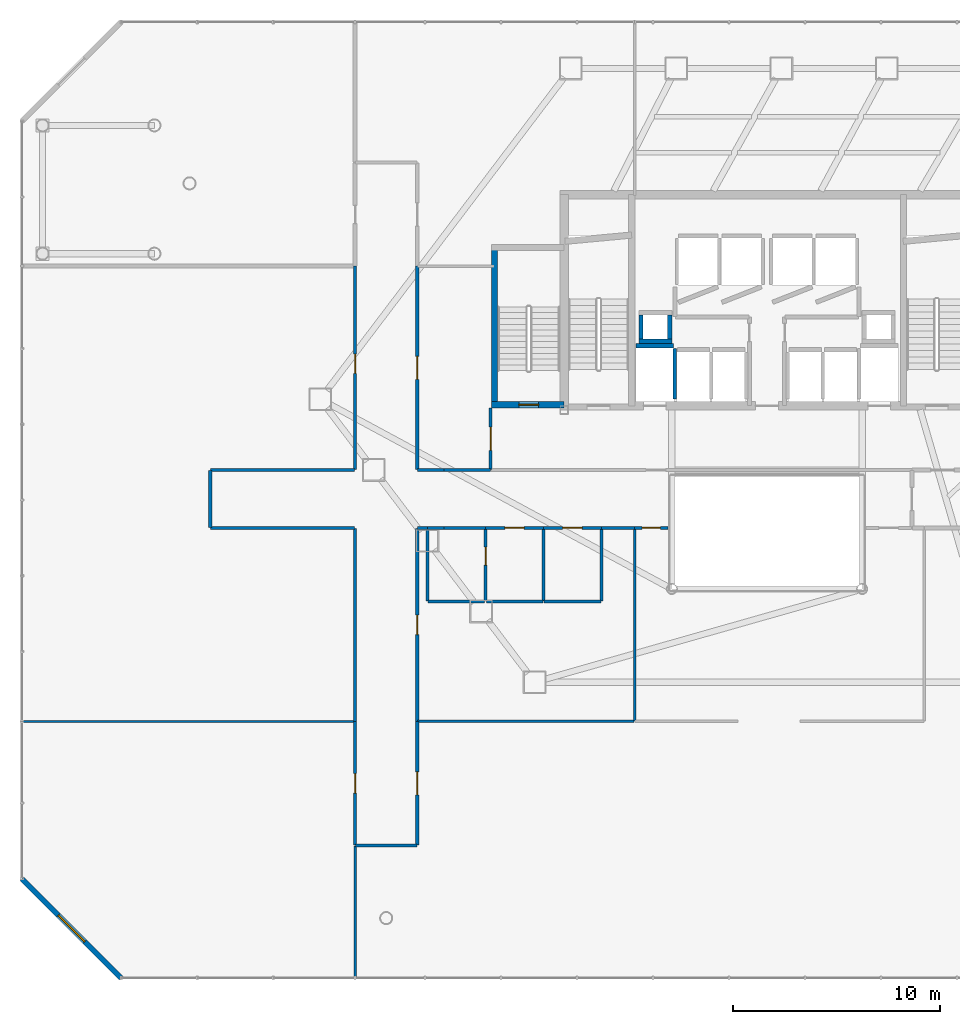
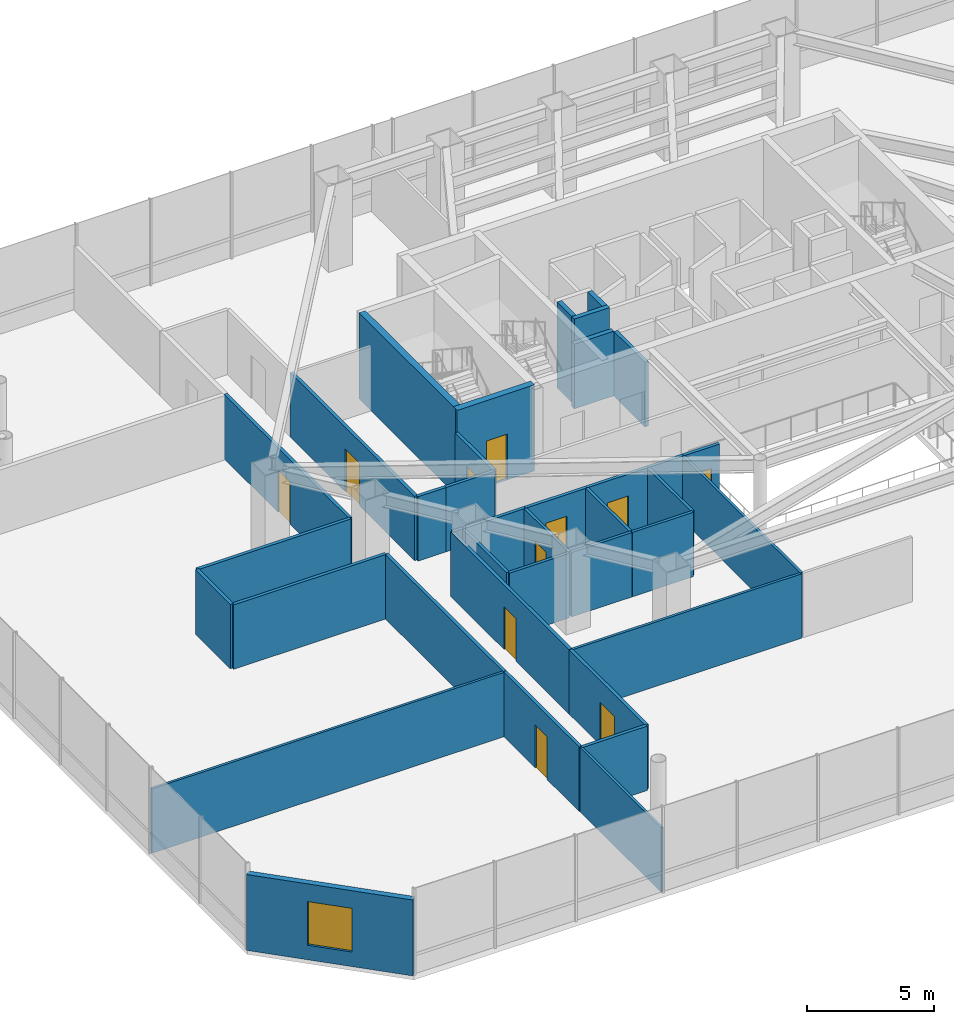
# One storey, part 34 of 37: 39 walls, 11 doors, 1 window, 12 openings.
"""IFC4 building model written with IfcOpenShell, lengths in metres."""

from ifc_helpers import new_model, si_unit, direction, frame, frame_2d, origin, place, context, subcontext, project, spatial, rectangle, extrude, material, layer, layer_set, type_object, element, fill, save


model = new_model("IFC4")

# Units and contexts
model_context = context("Model", 3, precision=1e-05, world=origin(), true_north=direction((0.0, 1.0)))
body_context = subcontext(model_context, "Body", "Model", "MODEL_VIEW")
ifc_project = project(units=[si_unit("LENGTHUNIT", "METRE"), si_unit("AREAUNIT", "SQUARE_METRE"), si_unit("VOLUMEUNIT", "CUBIC_METRE"), si_unit("PLANEANGLEUNIT", "RADIAN"), si_unit("MASSUNIT", "GRAM", prefix="KILO")], contexts=[model_context])

# Site, building, storey
site_placement = place(None, origin())
site = spatial("IfcSite", under=ifc_project, at=site_placement, CompositionType="ELEMENT")
building_placement = place(site_placement, origin())
building = spatial("IfcBuilding", under=site, at=building_placement, Name="Zarrinselat Tower", CompositionType="ELEMENT")
storey_placement = place(building_placement, frame((0.0, 0.0, 13.93994140625)))
storey = spatial("IfcBuildingStorey", under=building, at=storey_placement, Name="L03", CompositionType="ELEMENT", Elevation=13.93994140625)

# Wall, opening, window
ifc_material_1 = material(Name="Honed Cream Travertine Stone", Category="masonry")
ifc_layer_1 = layer(ifc_material_1, 0.260009765625)
ifc_layer_set_1 = layer_set([ifc_layer_1], Name="Honed Cream Travertine Stone")
wall_type_1 = type_object("IfcWallType", Name="WAL-EXT-STONE-260", PredefinedType="STANDARD", material=ifc_layer_set_1)
wall_1_placement = place(storey_placement, frame((2.39990234375, 10.39990234375, 0.0), z_axis=(0.0, 0.0, 1.0), x_axis=(0.707124763888, -0.707088798028, 0.0)))
wall_1 = element("IfcWall", 1, at=wall_1_placement, inside=storey, type_object=wall_type_1, Name="L03 Chamfered Stone Corner Wall 7", PredefinedType="STANDARD", context=body_context, shape_type="SweptSolid", body=[
    extrude(rectangle(XDim=6.7880859375, YDim=0.260009765625, at=frame_2d((3.39404296875, 0.0))), origin(), (0.0, 0.0, 1.0), 3.650146484375),
])
opening_1_placement = place(wall_1_placement, frame((2.494140625, 0.0, 0.699951171875)))
opening_1 = element("IfcOpeningElement", 2, at=opening_1_placement, cuts=wall_1, Name="Opening WN-2", PredefinedType="OPENING", context=body_context, shape_type="SweptSolid", body=[
    extrude(rectangle(XDim=1.800048828125, YDim=2.10009765625, at=frame_2d((0.89990234375, 1.050048828125))), frame((0.0, 0.139892578125, 0.0), z_axis=(0.0, -1.0, 0.0), x_axis=(1.0, 0.0, 0.0)), (0.0, 0.0, 1.0), 0.280029296875),
])
ifc_material_2 = material(Name="Double Low-E Laminated Solar Glass", Category="glass")
window_type = type_object("IfcWindowType", Name="WIN-GALLERY-1800", PartitioningType="SINGLE_PANEL", PredefinedType="WINDOW", material=ifc_material_2)
window_placement = place(opening_1_placement, origin())
window = element("IfcWindow", 3, at=window_placement, inside=storey, type_object=window_type, Name="L03 Corner Gallery Window 7", OverallHeight=2.10009765625, OverallWidth=1.800048828125, PartitioningType="SINGLE_PANEL", PredefinedType="WINDOW", context=body_context, shape_type="SweptSolid", body=[
    extrude(rectangle(XDim=1.800048828125, YDim=2.10009765625, at=frame_2d((0.89990234375, 1.050048828125))), frame((0.0, 0.030029296875, 0.0), z_axis=(0.0, -1.0, 0.0), x_axis=(1.0, 0.0, 0.0)), (0.0, 0.0, 1.0), 0.06005859375),
])
fill(opening_1, window)

# Wall, opening, door
ifc_material_3 = material(Name="Fire-Rated Gypsum Board Partition", Category="gypsum")
ifc_layer_2 = layer(ifc_material_3, 0.14990234375)
ifc_layer_set_2 = layer_set([ifc_layer_2], Name="Fire-Rated Gypsum Board Partition")
wall_type_2 = type_object("IfcWallType", Name="WAL-PART-EI60", PredefinedType="PARTITIONING", material=ifc_layer_set_2)
wall_2_placement = place(storey_placement, frame((25.050048828125, 30.169921875, 0.0), z_axis=(0.0, 0.0, 1.0), x_axis=(0.0, 1.0, 0.0)))
wall_2 = element("IfcWall", 4, at=wall_2_placement, inside=storey, type_object=wall_type_2, Name="L03 Partition Wall 9", PredefinedType="PARTITIONING", context=body_context, shape_type="SweptSolid", body=[
    extrude(rectangle(XDim=2.97998046875, YDim=0.14990234375, at=frame_2d((1.489990234375, 0.0))), origin(), (0.0, 0.0, 1.0), 3.09716796875),
])
opening_2_placement = place(wall_2_placement, frame((0.929931640625, 0.0, 0.0)))
opening_2 = element("IfcOpeningElement", 5, at=opening_2_placement, cuts=wall_2, Name="Opening ID-02", PredefinedType="OPENING", context=body_context, shape_type="SweptSolid", body=[
    extrude(rectangle(XDim=1.1201171875, YDim=2.050048828125, at=frame_2d((0.56005859375, 1.02490234375))), frame((0.0, 0.0849609375, 0.0), z_axis=(0.0, -1.0, 0.0), x_axis=(1.0, 0.0, 0.0)), (0.0, 0.0, 1.0), 0.169921875),
])
ifc_material_4 = material(Name="Steel S355J2", Category="steel")
door_type_1 = type_object("IfcDoorType", Name="DR-INT-FD60-W", OperationType="NOTDEFINED", PredefinedType="DOOR", material=ifc_material_4)
door_1_placement = place(opening_2_placement, origin())
door_1 = element("IfcDoor", 6, at=door_1_placement, inside=storey, type_object=door_type_1, Name="L03 Interior Door P9", OperationType="SINGLE_SWING_RIGHT", OverallHeight=2.050048828125, OverallWidth=1.1201171875, PredefinedType="DOOR", context=body_context, shape_type="SweptSolid", body=[
    extrude(rectangle(XDim=1.1201171875, YDim=2.050048828125, at=frame_2d((0.56005859375, 1.02490234375))), frame((0.0, 0.02490234375, 0.0), z_axis=(0.0, -1.0, 0.0), x_axis=(1.0, 0.0, 0.0)), (0.0, 0.0, 1.0), 0.050048828125),
])
fill(opening_2, door_1)

# Walls
wall_3_placement = place(storey_placement, frame((22.800048828125, 27.35009765625, 0.0), z_axis=(0.0, 0.0, 1.0), x_axis=(1.0, 0.0, 0.0)))
element("IfcWall", 7, at=wall_3_placement, inside=storey, type_object=wall_type_2, Name="L03 Partition Wall 13", PredefinedType="PARTITIONING", context=body_context, shape_type="SweptSolid", body=[
    extrude(rectangle(XDim=1.994873046875, YDim=0.14990234375, at=frame_2d((0.99755859375, 0.0))), origin(), (0.0, 0.0, 1.0), 3.09716796875),
])
wall_4_placement = place(storey_placement, frame((22.0048828125, 27.35009765625, 0.0), z_axis=(0.0, 0.0, 1.0), x_axis=(1.0, 0.0, 0.0)))
element("IfcWall", 8, at=wall_4_placement, inside=storey, type_object=wall_type_2, Name="L03 Partition Wall 14", PredefinedType="PARTITIONING", context=body_context, shape_type="SweptSolid", body=[
    extrude(rectangle(XDim=0.795166015625, YDim=0.14990234375, at=frame_2d((0.3974609375, 0.0))), origin(), (0.0, 0.0, 1.0), 3.09716796875),
])

# Wall, opening, door
wall_5_placement = place(storey_placement, frame((24.804931640625, 27.35009765625, 0.0), z_axis=(0.0, 0.0, 1.0), x_axis=(1.0, 0.0, 0.0)))
wall_5 = element("IfcWall", 9, at=wall_5_placement, inside=storey, type_object=wall_type_2, Name="L03 Partition Wall 15", PredefinedType="PARTITIONING", context=body_context, shape_type="SweptSolid", body=[
    extrude(rectangle(XDim=2.7900390625, YDim=0.14990234375, at=frame_2d((1.39501953125, 0.0))), origin(), (0.0, 0.0, 1.0), 3.09716796875),
])
opening_3_placement = place(wall_5_placement, frame((0.925048828125, 0.0, 0.0)))
opening_3 = element("IfcOpeningElement", 10, at=opening_3_placement, cuts=wall_5, Name="Opening ID-04", PredefinedType="OPENING", context=body_context, shape_type="SweptSolid", body=[
    extrude(rectangle(XDim=0.93994140625, YDim=2.050048828125, at=frame_2d((0.469970703125, 1.02490234375))), frame((0.0, 0.0849609375, 0.0), z_axis=(0.0, -1.0, 0.0), x_axis=(1.0, 0.0, 0.0)), (0.0, 0.0, 1.0), 0.169921875),
])
ifc_material_5 = material(Name="Fire-Rated Gypsum Board Partition")
door_type_2 = type_object("IfcDoorType", Name="DR-INT-FD30-ENT", OperationType="NOTDEFINED", PredefinedType="DOOR", material=ifc_material_5)
door_2_placement = place(opening_3_placement, origin())
door_2 = element("IfcDoor", 11, at=door_2_placement, inside=storey, type_object=door_type_2, Name="L03 Interior Door P15", OperationType="SINGLE_SWING_RIGHT", OverallHeight=2.050048828125, OverallWidth=0.93994140625, PredefinedType="DOOR", context=body_context, shape_type="SweptSolid", body=[
    extrude(rectangle(XDim=0.93994140625, YDim=2.050048828125, at=frame_2d((0.469970703125, 1.02490234375))), frame((0.0, 0.02490234375, 0.0), z_axis=(0.0, -1.0, 0.0), x_axis=(1.0, 0.0, 0.0)), (0.0, 0.0, 1.0), 0.050048828125),
])
fill(opening_3, door_2)

wall_6_placement = place(storey_placement, frame((27.60498046875, 27.35009765625, 0.0), z_axis=(0.0, 0.0, 1.0), x_axis=(1.0, 0.0, 0.0)))
wall_6 = element("IfcWall", 12, at=wall_6_placement, inside=storey, type_object=wall_type_2, Name="L03 Partition Wall 16", PredefinedType="PARTITIONING", context=body_context, shape_type="SweptSolid", body=[
    extrude(rectangle(XDim=2.7900390625, YDim=0.14990234375, at=frame_2d((1.39501953125, 0.0))), origin(), (0.0, 0.0, 1.0), 3.09716796875),
])
opening_4_placement = place(wall_6_placement, frame((0.925048828125, 0.0, 0.0)))
opening_4 = element("IfcOpeningElement", 13, at=opening_4_placement, cuts=wall_6, Name="Opening ID-04", PredefinedType="OPENING", context=body_context, shape_type="SweptSolid", body=[
    extrude(rectangle(XDim=0.93994140625, YDim=2.050048828125, at=frame_2d((0.469970703125, 1.02490234375))), frame((0.0, 0.0849609375, 0.0), z_axis=(0.0, -1.0, 0.0), x_axis=(1.0, 0.0, 0.0)), (0.0, 0.0, 1.0), 0.169921875),
])
door_3_placement = place(opening_4_placement, origin())
door_3 = element("IfcDoor", 14, at=door_3_placement, inside=storey, type_object=door_type_2, Name="L03 Interior Door P16", OperationType="SINGLE_SWING_LEFT", OverallHeight=2.050048828125, OverallWidth=0.93994140625, PredefinedType="DOOR", context=body_context, shape_type="SweptSolid", body=[
    extrude(rectangle(XDim=0.93994140625, YDim=2.050048828125, at=frame_2d((0.469970703125, 1.02490234375))), frame((0.0, 0.02490234375, 0.0), z_axis=(0.0, -1.0, 0.0), x_axis=(1.0, 0.0, 0.0)), (0.0, 0.0, 1.0), 0.050048828125),
])
fill(opening_4, door_3)

wall_7_placement = place(storey_placement, frame((21.5, 12.02001953125, 0.0), z_axis=(0.0, 0.0, 1.0), x_axis=(0.0, 1.0, 0.0)))
wall_7 = element("IfcWall", 15, at=wall_7_placement, inside=storey, type_object=wall_type_2, Name="L03 Partition Wall 17", PredefinedType="PARTITIONING", context=body_context, shape_type="SweptSolid", body=[
    extrude(rectangle(XDim=5.97509765625, YDim=0.14990234375, at=frame_2d((2.987548828125, 0.0))), origin(), (0.0, 0.0, 1.0), 3.09716796875),
])
opening_5_placement = place(wall_7_placement, frame((2.427490234375, 0.0, 0.0)))
opening_5 = element("IfcOpeningElement", 16, at=opening_5_placement, cuts=wall_7, Name="Opening ID-02", PredefinedType="OPENING", context=body_context, shape_type="SweptSolid", body=[
    extrude(rectangle(XDim=1.1201171875, YDim=2.050048828125, at=frame_2d((0.56005859375, 1.02490234375))), frame((0.0, 0.0849609375, 0.0), z_axis=(0.0, -1.0, 0.0), x_axis=(1.0, 0.0, 0.0)), (0.0, 0.0, 1.0), 0.169921875),
])
door_4_placement = place(opening_5_placement, origin())
door_4 = element("IfcDoor", 17, at=door_4_placement, inside=storey, type_object=door_type_1, Name="L03 Interior Door P17", OperationType="SINGLE_SWING_RIGHT", OverallHeight=2.050048828125, OverallWidth=1.1201171875, PredefinedType="DOOR", context=body_context, shape_type="SweptSolid", body=[
    extrude(rectangle(XDim=1.1201171875, YDim=2.050048828125, at=frame_2d((0.56005859375, 1.02490234375))), frame((0.0, 0.02490234375, 0.0), z_axis=(0.0, -1.0, 0.0), x_axis=(1.0, 0.0, 0.0)), (0.0, 0.0, 1.0), 0.050048828125),
])
fill(opening_5, door_4)

# Wall
wall_8_placement = place(storey_placement, frame((18.52001953125, 12.0, 0.0), z_axis=(0.0, 0.0, 1.0), x_axis=(1.0, 0.0, 0.0)))
element("IfcWall", 18, at=wall_8_placement, inside=storey, type_object=wall_type_2, Name="L03 Partition Wall 18", PredefinedType="PARTITIONING", context=body_context, shape_type="SweptSolid", body=[
    extrude(rectangle(XDim=2.9599609375, YDim=0.14990234375, at=frame_2d((1.47998046875, 0.0))), origin(), (0.0, 0.0, 1.0), 3.09716796875),
])

# Wall, opening, door
wall_9_placement = place(storey_placement, frame((18.5, 12.02001953125, 0.0), z_axis=(0.0, 0.0, 1.0), x_axis=(0.0, 1.0, 0.0)))
wall_9 = element("IfcWall", 19, at=wall_9_placement, inside=storey, type_object=wall_type_2, Name="L03 Partition Wall 19", PredefinedType="PARTITIONING", context=body_context, shape_type="SweptSolid", body=[
    extrude(rectangle(XDim=5.97509765625, YDim=0.14990234375, at=frame_2d((2.987548828125, 0.0))), origin(), (0.0, 0.0, 1.0), 3.09716796875),
])
opening_6_placement = place(wall_9_placement, frame((2.517578125, 0.0, 0.0)))
opening_6 = element("IfcOpeningElement", 20, at=opening_6_placement, cuts=wall_9, Name="Opening ID-04", PredefinedType="OPENING", context=body_context, shape_type="SweptSolid", body=[
    extrude(rectangle(XDim=0.93994140625, YDim=2.050048828125, at=frame_2d((0.469970703125, 1.02490234375))), frame((0.0, 0.0849609375, 0.0), z_axis=(0.0, -1.0, 0.0), x_axis=(1.0, 0.0, 0.0)), (0.0, 0.0, 1.0), 0.169921875),
])
door_5_placement = place(opening_6_placement, origin())
door_5 = element("IfcDoor", 21, at=door_5_placement, inside=storey, type_object=door_type_2, Name="L03 Interior Door P19", OperationType="SINGLE_SWING_LEFT", OverallHeight=2.050048828125, OverallWidth=0.93994140625, PredefinedType="DOOR", context=body_context, shape_type="SweptSolid", body=[
    extrude(rectangle(XDim=0.93994140625, YDim=2.050048828125, at=frame_2d((0.469970703125, 1.02490234375))), frame((0.0, 0.02490234375, 0.0), z_axis=(0.0, -1.0, 0.0), x_axis=(1.0, 0.0, 0.0)), (0.0, 0.0, 1.0), 0.050048828125),
])
fill(opening_6, door_5)

# Walls
wall_10_placement = place(storey_placement, frame((30.405029296875, 27.35009765625, 0.0), z_axis=(0.0, 0.0, 1.0), x_axis=(1.0, 0.0, 0.0)))
element("IfcWall", 22, at=wall_10_placement, inside=storey, type_object=wall_type_2, Name="L03 Partition Wall 20", PredefinedType="PARTITIONING", context=body_context, shape_type="SweptSolid", body=[
    extrude(rectangle(XDim=1.590087890625, YDim=0.14990234375, at=frame_2d((0.794921875, 0.0))), origin(), (0.0, 0.0, 1.0), 3.09716796875),
])
wall_11_placement = place(storey_placement, frame((21.52001953125, 27.35009765625, 0.0), z_axis=(0.0, 0.0, 1.0), x_axis=(1.0, 0.0, 0.0)))
element("IfcWall", 23, at=wall_11_placement, inside=storey, type_object=wall_type_2, Name="L03 Partition Wall 21", PredefinedType="PARTITIONING", context=body_context, shape_type="SweptSolid", body=[
    extrude(rectangle(XDim=0.47509765625, YDim=0.14990234375, at=frame_2d((0.237548828125, 0.0))), origin(), (0.0, 0.0, 1.0), 3.09716796875),
])

# Wall, opening, door
wall_12_placement = place(storey_placement, frame((21.5, 18.0048828125, 0.0), z_axis=(0.0, 0.0, 1.0), x_axis=(0.0, 1.0, 0.0)))
wall_12 = element("IfcWall", 24, at=wall_12_placement, inside=storey, type_object=wall_type_2, Name="L03 Partition Wall 22", PredefinedType="PARTITIONING", context=body_context, shape_type="SweptSolid", body=[
    extrude(rectangle(XDim=9.3251953125, YDim=0.14990234375, at=frame_2d((4.66259765625, 0.0))), origin(), (0.0, 0.0, 1.0), 3.09716796875),
])
opening_7_placement = place(wall_12_placement, frame((4.1923828125, 0.0, 0.0)))
opening_7 = element("IfcOpeningElement", 25, at=opening_7_placement, cuts=wall_12, Name="Opening ID-04", PredefinedType="OPENING", context=body_context, shape_type="SweptSolid", body=[
    extrude(rectangle(XDim=0.93994140625, YDim=2.050048828125, at=frame_2d((0.469970703125, 1.02490234375))), frame((0.0, 0.0849609375, 0.0), z_axis=(0.0, -1.0, 0.0), x_axis=(1.0, 0.0, 0.0)), (0.0, 0.0, 1.0), 0.169921875),
])
door_6_placement = place(opening_7_placement, origin())
door_6 = element("IfcDoor", 26, at=door_6_placement, inside=storey, type_object=door_type_2, Name="L03 Interior Door P22", OperationType="SINGLE_SWING_RIGHT", OverallHeight=2.050048828125, OverallWidth=0.93994140625, PredefinedType="DOOR", context=body_context, shape_type="SweptSolid", body=[
    extrude(rectangle(XDim=0.93994140625, YDim=2.050048828125, at=frame_2d((0.469970703125, 1.02490234375))), frame((0.0, 0.02490234375, 0.0), z_axis=(0.0, -1.0, 0.0), x_axis=(1.0, 0.0, 0.0)), (0.0, 0.0, 1.0), 0.050048828125),
])
fill(opening_7, door_6)

wall_13_placement = place(storey_placement, frame((32.0048828125, 27.35009765625, 0.0), z_axis=(0.0, 0.0, 1.0), x_axis=(1.0, 0.0, 0.0)))
wall_13 = element("IfcWall", 27, at=wall_13_placement, inside=storey, type_object=wall_type_2, Name="L03 Partition Wall 23", PredefinedType="PARTITIONING", context=body_context, shape_type="SweptSolid", body=[
    extrude(rectangle(XDim=1.615234375, YDim=0.14990234375, at=frame_2d((0.8076171875, 0.0))), origin(), (0.0, 0.0, 1.0), 3.09716796875),
])
opening_8_placement = place(wall_13_placement, frame((0.367431640625, 0.0, 0.0)))
opening_8 = element("IfcOpeningElement", 28, at=opening_8_placement, cuts=wall_13, Name="Opening ID-03", PredefinedType="OPENING", context=body_context, shape_type="SweptSolid", body=[
    extrude(rectangle(XDim=0.8798828125, YDim=2.050048828125, at=frame_2d((0.43994140625, 1.02490234375))), frame((0.0, 0.0849609375, 0.0), z_axis=(0.0, -1.0, 0.0), x_axis=(1.0, 0.0, 0.0)), (0.0, 0.0, 1.0), 0.169921875),
])
ifc_material_6 = material(Name="Steel S355J2", Category="steel")
door_type_3 = type_object("IfcDoorType", Name="DR-INT-FD60-S", OperationType="NOTDEFINED", PredefinedType="DOOR", material=ifc_material_6)
door_7_placement = place(opening_8_placement, origin())
door_7 = element("IfcDoor", 29, at=door_7_placement, inside=storey, type_object=door_type_3, Name="L03 Interior Door P23", OperationType="SINGLE_SWING_LEFT", OverallHeight=2.050048828125, OverallWidth=0.8798828125, PredefinedType="DOOR", context=body_context, shape_type="SweptSolid", body=[
    extrude(rectangle(XDim=0.8798828125, YDim=2.050048828125, at=frame_2d((0.43994140625, 1.02490234375))), frame((0.0, 0.02490234375, 0.0), z_axis=(0.0, -1.0, 0.0), x_axis=(1.0, 0.0, 0.0)), (0.0, 0.0, 1.0), 0.050048828125),
])
fill(opening_8, door_7)

# Walls
wall_14_placement = place(storey_placement, frame((18.5, 18.0048828125, 0.0), z_axis=(0.0, 0.0, 1.0), x_axis=(0.0, 1.0, 0.0)))
element("IfcWall", 30, at=wall_14_placement, inside=storey, type_object=wall_type_2, Name="L03 Partition Wall 25", PredefinedType="PARTITIONING", context=body_context, shape_type="SweptSolid", body=[
    extrude(rectangle(XDim=9.3251953125, YDim=0.14990234375, at=frame_2d((4.66259765625, 0.0))), origin(), (0.0, 0.0, 1.0), 3.09716796875),
])
wall_15_placement = place(storey_placement, frame((11.52001953125, 27.35009765625, 0.0), z_axis=(0.0, 0.0, 1.0), x_axis=(1.0, 0.0, 0.0)))
element("IfcWall", 31, at=wall_15_placement, inside=storey, type_object=wall_type_2, Name="L03 Partition Wall 26", PredefinedType="PARTITIONING", context=body_context, shape_type="SweptSolid", body=[
    extrude(rectangle(XDim=6.9599609375, YDim=0.14990234375, at=frame_2d((3.47998046875, 0.0))), origin(), (0.0, 0.0, 1.0), 3.09716796875),
])
wall_16_placement = place(storey_placement, frame((11.5, 27.3701171875, 0.0), z_axis=(0.0, 0.0, 1.0), x_axis=(0.0, 1.0, 0.0)))
element("IfcWall", 32, at=wall_16_placement, inside=storey, type_object=wall_type_2, Name="L03 Partition Wall 27", PredefinedType="PARTITIONING", context=body_context, shape_type="SweptSolid", body=[
    extrude(rectangle(XDim=2.759765625, YDim=0.14990234375, at=frame_2d((1.3798828125, 0.0))), origin(), (0.0, 0.0, 1.0), 3.09716796875),
])
wall_17_placement = place(storey_placement, frame((11.52001953125, 30.14990234375, 0.0), z_axis=(0.0, 0.0, 1.0), x_axis=(1.0, 0.0, 0.0)))
element("IfcWall", 33, at=wall_17_placement, inside=storey, type_object=wall_type_2, Name="L03 Partition Wall 28", PredefinedType="PARTITIONING", context=body_context, shape_type="SweptSolid", body=[
    extrude(rectangle(XDim=6.9599609375, YDim=0.14990234375, at=frame_2d((3.47998046875, 0.0))), origin(), (0.0, 0.0, 1.0), 3.09716796875),
])

# Wall, opening, door
wall_18_placement = place(storey_placement, frame((18.5, 30.169921875, 0.0), z_axis=(0.0, 0.0, 1.0), x_axis=(0.0, 1.0, 0.0)))
wall_18 = element("IfcWall", 34, at=wall_18_placement, inside=storey, type_object=wall_type_2, Name="L03 Partition Wall 29", PredefinedType="PARTITIONING", context=body_context, shape_type="SweptSolid", body=[
    extrude(rectangle(XDim=9.8251953125, YDim=0.14990234375, at=frame_2d((4.91259765625, 0.0))), origin(), (0.0, 0.0, 1.0), 3.09716796875),
])
opening_9_placement = place(wall_18_placement, frame((4.642578125, 0.0, 0.0)))
opening_9 = element("IfcOpeningElement", 35, at=opening_9_placement, cuts=wall_18, Name="Opening ID-04", PredefinedType="OPENING", context=body_context, shape_type="SweptSolid", body=[
    extrude(rectangle(XDim=0.93994140625, YDim=2.050048828125, at=frame_2d((0.469970703125, 1.02490234375))), frame((0.0, 0.0849609375, 0.0), z_axis=(0.0, -1.0, 0.0), x_axis=(1.0, 0.0, 0.0)), (0.0, 0.0, 1.0), 0.169921875),
])
door_8_placement = place(opening_9_placement, origin())
door_8 = element("IfcDoor", 36, at=door_8_placement, inside=storey, type_object=door_type_2, Name="L03 Interior Door P29", OperationType="SINGLE_SWING_LEFT", OverallHeight=2.050048828125, OverallWidth=0.93994140625, PredefinedType="DOOR", context=body_context, shape_type="SweptSolid", body=[
    extrude(rectangle(XDim=0.93994140625, YDim=2.050048828125, at=frame_2d((0.469970703125, 1.02490234375))), frame((0.0, 0.02490234375, 0.0), z_axis=(0.0, -1.0, 0.0), x_axis=(1.0, 0.0, 0.0)), (0.0, 0.0, 1.0), 0.050048828125),
])
fill(opening_9, door_8)

wall_19_placement = place(storey_placement, frame((21.5, 30.169921875, 0.0), z_axis=(0.0, 0.0, 1.0), x_axis=(0.0, 1.0, 0.0)))
wall_19 = element("IfcWall", 37, at=wall_19_placement, inside=storey, type_object=wall_type_2, Name="L03 Partition Wall 30", PredefinedType="PARTITIONING", context=body_context, shape_type="SweptSolid", body=[
    extrude(rectangle(XDim=9.8251953125, YDim=0.14990234375, at=frame_2d((4.91259765625, 0.0))), origin(), (0.0, 0.0, 1.0), 3.09716796875),
])
opening_10_placement = place(wall_19_placement, frame((4.3525390625, 0.0, 0.0)))
opening_10 = element("IfcOpeningElement", 38, at=opening_10_placement, cuts=wall_19, Name="Opening ID-02", PredefinedType="OPENING", context=body_context, shape_type="SweptSolid", body=[
    extrude(rectangle(XDim=1.1201171875, YDim=2.050048828125, at=frame_2d((0.56005859375, 1.02490234375))), frame((0.0, 0.0849609375, 0.0), z_axis=(0.0, -1.0, 0.0), x_axis=(1.0, 0.0, 0.0)), (0.0, 0.0, 1.0), 0.169921875),
])
door_9_placement = place(opening_10_placement, origin())
door_9 = element("IfcDoor", 39, at=door_9_placement, inside=storey, type_object=door_type_1, Name="L03 Interior Door P30", OperationType="SINGLE_SWING_RIGHT", OverallHeight=2.050048828125, OverallWidth=1.1201171875, PredefinedType="DOOR", context=body_context, shape_type="SweptSolid", body=[
    extrude(rectangle(XDim=1.1201171875, YDim=2.050048828125, at=frame_2d((0.56005859375, 1.02490234375))), frame((0.0, 0.02490234375, 0.0), z_axis=(0.0, -1.0, 0.0), x_axis=(1.0, 0.0, 0.0)), (0.0, 0.0, 1.0), 0.050048828125),
])
fill(opening_10, door_9)

# Walls
wall_20_placement = place(storey_placement, frame((21.52001953125, 30.14990234375, 0.0), z_axis=(0.0, 0.0, 1.0), x_axis=(1.0, 0.0, 0.0)))
element("IfcWall", 40, at=wall_20_placement, inside=storey, type_object=wall_type_2, Name="L03 Partition Wall 31", PredefinedType="PARTITIONING", context=body_context, shape_type="SweptSolid", body=[
    extrude(rectangle(XDim=1.280029296875, YDim=0.14990234375, at=frame_2d((0.64013671875, 0.0))), origin(), (0.0, 0.0, 1.0), 3.09716796875),
])
wall_21_placement = place(storey_placement, frame((22.800048828125, 30.14990234375, 0.0), z_axis=(0.0, 0.0, 1.0), x_axis=(1.0, 0.0, 0.0)))
element("IfcWall", 41, at=wall_21_placement, inside=storey, type_object=wall_type_2, Name="L03 Partition Wall 32", PredefinedType="PARTITIONING", context=body_context, shape_type="SweptSolid", body=[
    extrude(rectangle(XDim=2.22998046875, YDim=0.14990234375, at=frame_2d((1.114990234375, 0.0))), origin(), (0.0, 0.0, 1.0), 3.09716796875),
])
ifc_material_7 = material(Name="Extruded Aluminium Alloy EN AW-6063 T6", Category="aluminium")
ifc_layer_3 = layer(ifc_material_7, 0.114990234375)
ifc_layer_set_3 = layer_set([ifc_layer_3], Name="Extruded Aluminium Alloy EN AW-6063 T6")
wall_type_3 = type_object("IfcWallType", Name="WAL-PART-MOV", PredefinedType="MOVABLE", material=ifc_layer_set_3)
wall_22_placement = place(storey_placement, frame((18.5, 5.614990234375, 0.0), z_axis=(0.0, 0.0, 1.0), x_axis=(0.0, 1.0, 0.0)))
element("IfcWall", 42, at=wall_22_placement, inside=storey, type_object=wall_type_3, Name="L03 Partition Wall 43", PredefinedType="MOVABLE", context=body_context, shape_type="SweptSolid", body=[
    extrude(rectangle(XDim=6.364990234375, YDim=0.114990234375, at=frame_2d((3.1826171875, 0.0))), origin(), (0.0, 0.0, 1.0), 3.09716796875),
])
wall_23_placement = place(storey_placement, frame((2.4150390625, 18.0, 0.0), z_axis=(0.0, 0.0, 1.0), x_axis=(1.0, 0.0, 0.0)))
element("IfcWall", 43, at=wall_23_placement, inside=storey, type_object=wall_type_3, Name="L03 Partition Wall 49", PredefinedType="MOVABLE", context=body_context, shape_type="SweptSolid", body=[
    extrude(rectangle(XDim=16.06494140625, YDim=0.114990234375, at=frame_2d((8.032470703125, 0.0))), origin(), (0.0, 0.0, 1.0), 3.09716796875),
])
ifc_material_8 = material(Name="Fire-Rated Gypsum Board Partition", Category="gypsum")
ifc_layer_4 = layer(ifc_material_8, 0.1201171875)
ifc_layer_set_4 = layer_set([ifc_layer_4], Name="Fire-Rated Gypsum Board Partition")
wall_type_4 = type_object("IfcWallType", Name="WAL-PART-STD", PredefinedType="PARTITIONING", material=ifc_layer_set_4)
wall_24_placement = place(storey_placement, frame((21.52001953125, 18.0, 0.0), z_axis=(0.0, 0.0, 1.0), x_axis=(1.0, 0.0, 0.0)))
element("IfcWall", 44, at=wall_24_placement, inside=storey, type_object=wall_type_4, Name="L03 Partition Wall 44", PredefinedType="PARTITIONING", context=body_context, shape_type="SweptSolid", body=[
    extrude(rectangle(XDim=10.4599609375, YDim=0.1201171875, at=frame_2d((5.22998046875, 0.0))), origin(), (0.0, 0.0, 1.0), 3.09716796875),
])
wall_25_placement = place(storey_placement, frame((32.0, 18.02001953125, 0.0), z_axis=(0.0, 0.0, 1.0), x_axis=(0.0, 1.0, 0.0)))
element("IfcWall", 45, at=wall_25_placement, inside=storey, type_object=wall_type_4, Name="L03 Partition Wall 50", PredefinedType="PARTITIONING", context=body_context, shape_type="SweptSolid", body=[
    extrude(rectangle(XDim=9.31005859375, YDim=0.1201171875, at=frame_2d((4.655029296875, 0.0))), origin(), (0.0, 0.0, 1.0), 3.09716796875),
])

# Wall, opening, door
ifc_material_9 = material(Name="Fire-Rated Gypsum Board Partition", Category="gypsum")
ifc_layer_5 = layer(ifc_material_9, 0.135009765625)
ifc_layer_set_5 = layer_set([ifc_layer_5], Name="Fire-Rated Gypsum Board Partition")
wall_type_5 = type_object("IfcWallType", Name="WAL-PART-WET", PredefinedType="PARTITIONING", material=ifc_layer_set_5)
wall_26_placement = place(storey_placement, frame((24.800048828125, 23.847900390625, 0.0), z_axis=(0.0, 0.0, 1.0), x_axis=(0.0, 1.0, 0.0)))
wall_26 = element("IfcWall", 46, at=wall_26_placement, inside=storey, type_object=wall_type_5, Name="L03 Partition Wall 36", PredefinedType="PARTITIONING", context=body_context, shape_type="SweptSolid", body=[
    extrude(rectangle(XDim=3.482177734375, YDim=0.135009765625, at=frame_2d((1.7412109375, 0.0))), origin(), (0.0, 0.0, 1.0), 3.09716796875),
])
opening_11_placement = place(wall_26_placement, frame((1.7109375, 0.0, 0.0)))
opening_11 = element("IfcOpeningElement", 47, at=opening_11_placement, cuts=wall_26, Name="Opening ID-06", PredefinedType="OPENING", context=body_context, shape_type="SweptSolid", body=[
    extrude(rectangle(XDim=0.860107421875, YDim=2.050048828125, at=frame_2d((0.43017578125, 1.02490234375))), frame((0.0, 0.077392578125, 0.0), z_axis=(0.0, -1.0, 0.0), x_axis=(1.0, 0.0, 0.0)), (0.0, 0.0, 1.0), 0.155029296875),
])
ifc_material_10 = material(Name="Extruded Aluminium Alloy EN AW-6063 T6", Category="aluminium")
door_type_4 = type_object("IfcDoorType", Name="DR-INT-WET-900", OperationType="NOTDEFINED", PredefinedType="DOOR", material=ifc_material_10)
door_10_placement = place(opening_11_placement, origin())
door_10 = element("IfcDoor", 48, at=door_10_placement, inside=storey, type_object=door_type_4, Name="L03 Interior Door P36", OperationType="SINGLE_SWING_LEFT", OverallHeight=2.050048828125, OverallWidth=0.860107421875, PredefinedType="DOOR", context=body_context, shape_type="SweptSolid", body=[
    extrude(rectangle(XDim=0.860107421875, YDim=2.050048828125, at=frame_2d((0.43017578125, 1.02490234375))), frame((0.0, 0.02490234375, 0.0), z_axis=(0.0, -1.0, 0.0), x_axis=(1.0, 0.0, 0.0)), (0.0, 0.0, 1.0), 0.050048828125),
])
fill(opening_11, door_10)

# Walls
wall_27_placement = place(storey_placement, frame((22.02001953125, 23.800048828125, 0.0), z_axis=(0.0, 0.0, 1.0), x_axis=(1.0, 0.0, 0.0)))
element("IfcWall", 49, at=wall_27_placement, inside=storey, type_object=wall_type_5, Name="L03 Partition Wall 37", PredefinedType="PARTITIONING", context=body_context, shape_type="SweptSolid", body=[
    extrude(rectangle(XDim=2.73193359375, YDim=0.135009765625, at=frame_2d((1.365966796875, 0.0))), origin(), (0.0, 0.0, 1.0), 3.09716796875),
])
for number, where, z_axis, x_axis, name in (
    (50, (22.0, 23.820068359375, 0.0), (0.0, 0.0, 1.0), (0.0, 1.0, 0.0), "L03 Partition Wall 38"),
    (51, (27.60009765625, 23.820068359375, 0.0), (0.0, 0.0, 1.0), (0.0, 1.0, 0.0), "L03 Partition Wall 39"),
):
    element("IfcWall", number, at=place(storey_placement, frame(where, z_axis=z_axis, x_axis=x_axis)), inside=storey, type_object=wall_type_5, Name=name, PredefinedType="PARTITIONING", context=body_context, shape_type="SweptSolid", body=[
        extrude(rectangle(XDim=3.510009765625, YDim=0.135009765625, at=frame_2d((1.7548828125, 0.0))), origin(), (0.0, 0.0, 1.0), 3.09716796875),
    ])
wall_28_placement = place(storey_placement, frame((24.847900390625, 23.800048828125, 0.0), z_axis=(0.0, 0.0, 1.0), x_axis=(1.0, 0.0, 0.0)))
element("IfcWall", 52, at=wall_28_placement, inside=storey, type_object=wall_type_5, Name="L03 Partition Wall 40", PredefinedType="PARTITIONING", context=body_context, shape_type="SweptSolid", body=[
    extrude(rectangle(XDim=2.732177734375, YDim=0.135009765625, at=frame_2d((1.3662109375, 0.0))), origin(), (0.0, 0.0, 1.0), 3.09716796875),
])
wall_29_placement = place(storey_placement, frame((27.6201171875, 23.800048828125, 0.0), z_axis=(0.0, 0.0, 1.0), x_axis=(1.0, 0.0, 0.0)))
element("IfcWall", 53, at=wall_29_placement, inside=storey, type_object=wall_type_5, Name="L03 Partition Wall 41", PredefinedType="PARTITIONING", context=body_context, shape_type="SweptSolid", body=[
    extrude(rectangle(XDim=2.759765625, YDim=0.135009765625, at=frame_2d((1.3798828125, 0.0))), origin(), (0.0, 0.0, 1.0), 3.09716796875),
])
wall_30_placement = place(storey_placement, frame((30.39990234375, 23.820068359375, 0.0), z_axis=(0.0, 0.0, 1.0), x_axis=(0.0, 1.0, 0.0)))
element("IfcWall", 54, at=wall_30_placement, inside=storey, type_object=wall_type_5, Name="L03 Partition Wall 42", PredefinedType="PARTITIONING", context=body_context, shape_type="SweptSolid", body=[
    extrude(rectangle(XDim=3.510009765625, YDim=0.135009765625, at=frame_2d((1.7548828125, 0.0))), origin(), (0.0, 0.0, 1.0), 3.09716796875),
])
ifc_material_11 = material(Name="Concrete C40/50", Category="concrete")
ifc_layer_6 = layer(ifc_material_11, 0.2099609375)
ifc_layer_set_6 = layer_set([ifc_layer_6], Name="Concrete C40/50")
wall_type_6 = type_object("IfcWallType", Name="WAL-SHAFT-210", PredefinedType="SOLIDWALL", material=ifc_layer_set_6)
wall_31_placement = place(storey_placement, frame((32.080078125, 36.155029296875, 0.0), z_axis=(0.0, 0.0, 1.0), x_axis=(1.0, 0.0, 0.0)))
element("IfcWall", 55, at=wall_31_placement, inside=storey, type_object=wall_type_6, Name="L03 Lift FFL1 North Shaft Wall", PredefinedType="SOLIDWALL", context=body_context, shape_type="SweptSolid", body=[
    extrude(rectangle(XDim=1.7998046875, YDim=0.2099609375, at=frame_2d((0.89990234375, 0.0))), origin(), (0.0, 0.0, 1.0), 3.112060546875),
])
wall_32_placement = place(storey_placement, frame((33.949951171875, 33.580078125, 0.0), z_axis=(0.0, 0.0, 1.0), x_axis=(0.0, 1.0, 0.0)))
element("IfcWall", 56, at=wall_32_placement, inside=storey, type_object=wall_type_6, Name="L03 Lift FFL1 E Shaft Wall", PredefinedType="SOLIDWALL", context=body_context, shape_type="SweptSolid", body=[
    extrude(rectangle(XDim=2.449951171875, YDim=0.159912109375, at=frame_2d((1.22509765625, 0.0))), origin(), (0.0, 0.0, 1.0), 3.112060546875),
])
wall_33_placement = place(storey_placement, frame((32.2099609375, 36.375, 0.0), z_axis=(0.0, 0.0, 1.0), x_axis=(1.0, 0.0, 0.0)))
element("IfcWall", 57, at=wall_33_placement, inside=storey, type_object=wall_type_6, Name="L03 Core Riser RSR-W S Shaft Wall", PredefinedType="SOLIDWALL", context=body_context, shape_type="SweptSolid", body=[
    extrude(rectangle(XDim=1.60009765625, YDim=0.2099609375, at=frame_2d((0.800048828125, 0.0))), origin(), (0.0, 0.0, 1.0), 4.14013671875),
])
for number, where, z_axis, x_axis, name in (
    (58, (32.31494140625, 36.485107421875, 0.0), (0.0, 0.0, 1.0), (0.0, 1.0, 0.0), "L03 Core Riser RSR-W W Shaft Wall"),
    (59, (33.705078125, 36.485107421875, 0.0), (0.0, 0.0, 1.0), (0.0, 1.0, 0.0), "L03 Core Riser RSR-W E Shaft Wall"),
):
    element("IfcWall", number, at=place(storey_placement, frame(where, z_axis=z_axis, x_axis=x_axis)), inside=storey, type_object=wall_type_6, Name=name, PredefinedType="SOLIDWALL", context=body_context, shape_type="SweptSolid", body=[
        extrude(rectangle(XDim=1.14990234375, YDim=0.2099609375, at=frame_2d((0.574951171875, 0.0))), origin(), (0.0, 0.0, 1.0), 4.14013671875),
    ])

# Wall, opening, door
ifc_material_12 = material(Name="Concrete C40/50", Category="concrete")
ifc_layer_7 = layer(ifc_material_12, 0.300048828125)
ifc_layer_set_7 = layer_set([ifc_layer_7], Name="Concrete C40/50")
wall_type_7 = type_object("IfcWallType", Name="WAL-SHEAR-300", PredefinedType="SHEAR", material=ifc_layer_set_7)
wall_34_placement = place(storey_placement, frame((25.080078125, 33.300048828125, 0.0), z_axis=(0.0, 0.0, 1.0), x_axis=(1.0, 0.0, 0.0)))
wall_34 = element("IfcWall", 60, at=wall_34_placement, inside=storey, type_object=wall_type_7, Name="L03 Stair 3 South Shear Wall", PredefinedType="SHEAR", context=body_context, shape_type="SweptSolid", body=[
    extrude(rectangle(XDim=3.52001953125, YDim=0.300048828125, at=frame_2d((1.760009765625, 0.0))), origin(), (0.0, 0.0, 1.0), 4.14013671875),
])
opening_12_placement = place(wall_34_placement, frame((1.3349609375, 0.0, 0.0)))
opening_12 = element("IfcOpeningElement", 61, at=opening_12_placement, cuts=wall_34, Name="Opening SD-02", PredefinedType="OPENING", context=body_context, shape_type="SweptSolid", body=[
    extrude(rectangle(XDim=0.949951171875, YDim=2.199951171875, at=frame_2d((0.47509765625, 1.10009765625))), frame((0.0, 0.159912109375, 0.0), z_axis=(0.0, -1.0, 0.0), x_axis=(1.0, 0.0, 0.0)), (0.0, 0.0, 1.0), 0.320068359375),
])
ifc_material_13 = material(Name="Steel S355J2", Category="steel")
door_type_5 = type_object("IfcDoorType", Name="DR-STAIR-1050", OperationType="NOTDEFINED", PredefinedType="DOOR", material=ifc_material_13)
door_11_placement = place(opening_12_placement, origin())
door_11 = element("IfcDoor", 62, at=door_11_placement, inside=storey, type_object=door_type_5, Name="L03 Exit Stair 3 Fire Door", OperationType="SINGLE_SWING_LEFT", OverallHeight=2.199951171875, OverallWidth=0.949951171875, PredefinedType="DOOR", context=body_context, shape_type="SweptSolid", body=[
    extrude(rectangle(XDim=0.949951171875, YDim=2.199951171875, at=frame_2d((0.47509765625, 1.10009765625))), frame((0.0, 0.02490234375, 0.0), z_axis=(0.0, -1.0, 0.0), x_axis=(1.0, 0.0, 0.0)), (0.0, 0.0, 1.0), 0.050048828125),
])
fill(opening_12, door_11)

# Wall
wall_35_placement = place(storey_placement, frame((25.22998046875, 33.300048828125, 0.0), z_axis=(0.0, 0.0, 1.0), x_axis=(0.0, 1.0, 0.0)))
element("IfcWall", 63, at=wall_35_placement, inside=storey, type_object=wall_type_7, Name="L03 Stair 3 West Shear Wall", PredefinedType="SHEAR", context=body_context, shape_type="SweptSolid", body=[
    extrude(rectangle(XDim=7.599853515625, YDim=0.300048828125, at=frame_2d((3.7998046875, 0.0))), origin(), (0.0, 0.0, 1.0), 4.14013671875),
])

save(model, "model.ifc")
